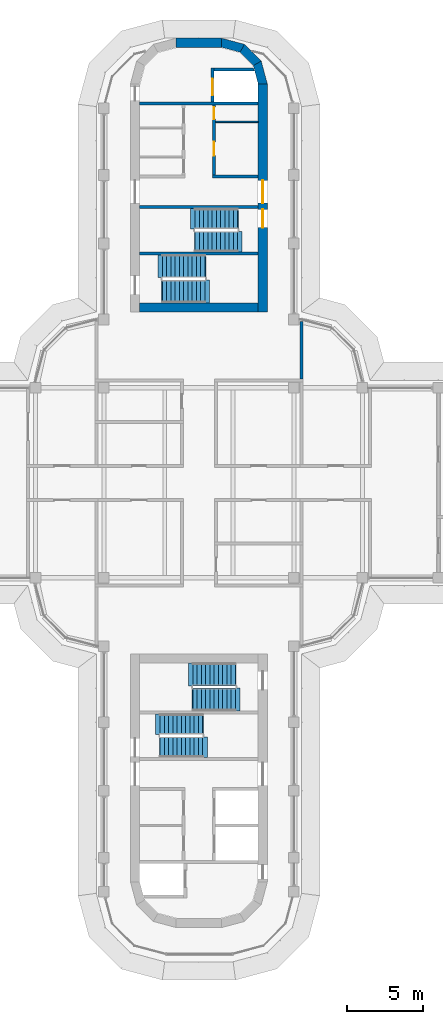
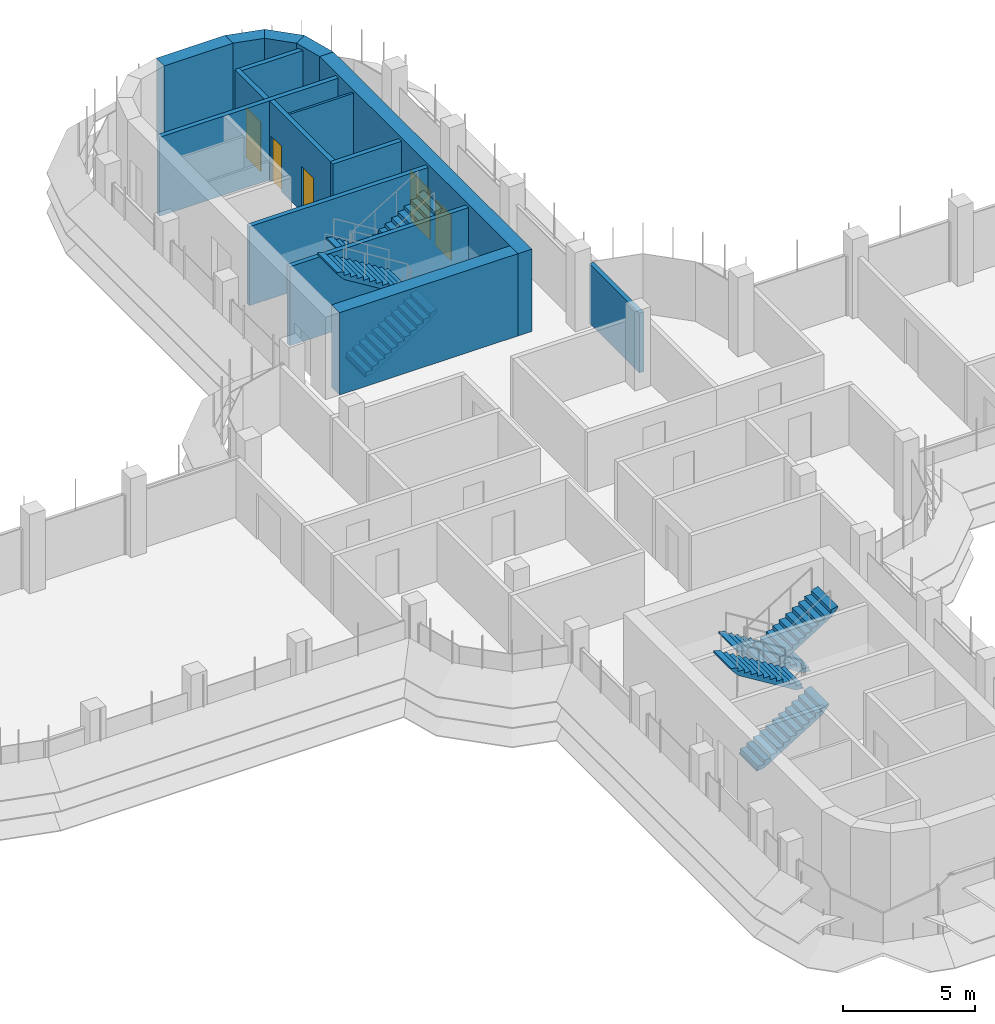
# One storey, part 15 of 19: 15 walls, 8 stair flights, 5 doors, 5 openings, 4 elements without a shape of their own.
"""IFC4 building model written with IfcOpenShell, lengths in metres."""

import ifcopenshell
import ifcopenshell.guid

model = None  # the IFC model being written
_history = None  # IfcOwnerHistory: only IFC2X3 demands one
_inside = {}  # id of a spatial element -> (the spatial element, [elements in it])
_under = {}  # id of a project, library or spatial element -> (it, [spatial elements below it])
_declared = {}  # id of a project -> (the project, [libraries it declares])
_typed = {}  # id of a type object -> (the type object, [elements of that type])
_made_of = {}  # id of a material, layer set ... -> (it, [elements and type objects made of it])


def new_model(schema):
    """Start an empty IFC model of exactly this schema.

    Asked for "IFC4X3", IfcOpenShell would pick the latest addendum, in which some entities
    have other attributes; the version numbers below select the first issue.
    IFC2X3 requires an IfcOwnerHistory on every rooted entity: one is made here for all.
    """
    global model, _history
    if schema == "IFC4X3":
        model = ifcopenshell.file(schema_version=(4, 3, 0, 0))
    else:
        model = ifcopenshell.file(schema=schema)
    _inside.clear()
    _under.clear()
    _declared.clear()
    _typed.clear()
    _made_of.clear()
    _history = None
    if model.schema == "IFC2X3":
        org = make("IfcOrganization", Name="unknown")
        user = make(
            "IfcPersonAndOrganization",
            ThePerson=make("IfcPerson", FamilyName="unknown"),
            TheOrganization=org,
        )
        app = make(
            "IfcApplication",
            ApplicationDeveloper=org,
            Version="unknown",
            ApplicationFullName="unknown",
            ApplicationIdentifier="unknown",
        )
        _history = make(
            "IfcOwnerHistory",
            OwningUser=user,
            OwningApplication=app,
            ChangeAction="ADDED",
            CreationDate=0,
        )
    return model


def make(cls, **values):
    """One entity of the class cls with the attributes given. An attribute that is None is left unset."""
    return model.create_entity(
        cls, **{name: value for name, value in values.items() if value is not None}
    )


def rooted(cls, **values):
    """An entity with a GlobalId (a new one), such as an element, a storey or a relation."""
    return make(cls, GlobalId=ifcopenshell.guid.new(), OwnerHistory=_history, **values)


def si_unit(unit_type, name, prefix=None):
    """IfcSIUnit, for example si_unit("LENGTHUNIT", "METRE", prefix="MILLI")."""
    return make("IfcSIUnit", UnitType=unit_type, Prefix=prefix, Name=name)


def assignment(units):
    """IfcUnitAssignment: the units of a project."""
    return None if units is None else make("IfcUnitAssignment", Units=units)


def point(xyz):
    """IfcCartesianPoint."""
    return None if xyz is None else make("IfcCartesianPoint", Coordinates=xyz)


def direction(xyz):
    """IfcDirection."""
    return None if xyz is None else make("IfcDirection", DirectionRatios=xyz)


def frame(location, z_axis=None, x_axis=None):
    """IfcAxis2Placement3D, a coordinate frame: its origin and axes. An axis left out is left unset."""
    return make(
        "IfcAxis2Placement3D",
        Location=point(location),
        Axis=direction(z_axis),
        RefDirection=direction(x_axis),
    )


def frame_2d(location, x_axis=None):
    """IfcAxis2Placement2D, a coordinate frame in the plane: its origin and x axis."""
    return make(
        "IfcAxis2Placement2D", Location=point(location), RefDirection=direction(x_axis)
    )


def origin():
    """The frame at (0, 0, 0) with its axes left unset."""
    return frame((0.0, 0.0, 0.0))


def place(relative_to, where):
    """IfcLocalPlacement: puts the frame where relative to a parent placement (None: the world)."""
    return make(
        "IfcLocalPlacement", PlacementRelTo=relative_to, RelativePlacement=where
    )


def context(
    kind, dimensions, precision=None, world=None, true_north=None, identifier=None
):
    """IfcGeometricRepresentationContext, for example the 3D "Model" context."""
    return make(
        "IfcGeometricRepresentationContext",
        ContextIdentifier=identifier,
        ContextType=kind,
        CoordinateSpaceDimension=dimensions,
        Precision=precision,
        WorldCoordinateSystem=world,
        TrueNorth=true_north,
    )


def subcontext(parent, identifier, kind, view, scale=None):
    """IfcGeometricRepresentationSubContext, for example "Body" below "Model"."""
    return make(
        "IfcGeometricRepresentationSubContext",
        ContextIdentifier=identifier,
        ContextType=kind,
        ParentContext=parent,
        TargetScale=scale,
        TargetView=view,
    )


def project(units=None, contexts=None):
    """IfcProject with its units and contexts."""
    return rooted(
        "IfcProject",
        Name="project",
        RepresentationContexts=contexts,
        UnitsInContext=assignment(units),
    )


def spatial(cls, under=None, at=None, **own):
    """A site, building, storey or space (cls), placed at a placement, below another one or the project."""
    s = rooted(cls, ObjectPlacement=at, **own)
    if under is not None:
        _under.setdefault(under.id(), (under, []))[1].append(s)
    return s


def polyline(points):
    """IfcPolyline through the points."""
    return make("IfcPolyline", Points=[point(p) for p in points])


def profile(cls, at=None, kind="AREA", **sizes):
    """A parametric profile (cls). Its sizes go by their IFC names, for example OverallWidth=200.0."""
    return make(cls, ProfileType=kind, Position=at, **sizes)


def rectangle(**sizes):
    """IfcRectangleProfileDef."""
    return profile("IfcRectangleProfileDef", **sizes)


def outline(outer, holes=None, kind="AREA"):
    """IfcArbitraryClosedProfileDef: a profile drawn as a closed curve; with holes, ...WithVoids."""
    if holes is None:
        return make("IfcArbitraryClosedProfileDef", ProfileType=kind, OuterCurve=outer)
    return make(
        "IfcArbitraryProfileDefWithVoids",
        ProfileType=kind,
        OuterCurve=outer,
        InnerCurves=holes,
    )


def extrude(swept, where, along, depth):
    """IfcExtrudedAreaSolid: the profile swept, set in the frame where, extruded along a direction by depth."""
    return make(
        "IfcExtrudedAreaSolid",
        SweptArea=swept,
        Position=where,
        ExtrudedDirection=direction(along),
        Depth=depth,
    )


def shape(context_of_items, identifier, shape_type, items):
    """IfcShapeRepresentation: the items that make up one representation, for example the "Body"."""
    return make(
        "IfcShapeRepresentation",
        ContextOfItems=context_of_items,
        RepresentationIdentifier=identifier,
        RepresentationType=shape_type,
        Items=items,
    )


def material(Name=None, Category=None):
    """IfcMaterial."""
    return make("IfcMaterial", Name=Name, Category=Category)


def layer(
    of_material, thickness, ventilated=None, Name=None, Category=None, Priority=None
):
    """IfcMaterialLayer: one layer of a wall or slab, of a material (None: an air gap)."""
    return make(
        "IfcMaterialLayer",
        Material=of_material,
        LayerThickness=thickness,
        IsVentilated=ventilated,
        Name=Name,
        Category=Category,
        Priority=Priority,
    )


def layer_set(layers, Name=None):
    """IfcMaterialLayerSet."""
    return make("IfcMaterialLayerSet", MaterialLayers=layers, LayerSetName=Name)


def made_of(thing, what):
    """Note that an element or type object is made of a material, layer set ...; save() writes the relation."""
    if what is not None:
        _made_of.setdefault(what.id(), (what, []))[1].append(thing)
    return thing


def type_object(cls, material=None, **own):
    """A type object (cls), such as IfcWallType, which elements share."""
    return made_of(rooted(cls, **own), material)


def element(
    cls,
    number,
    at=None,
    inside=None,
    cuts=None,
    type_object=None,
    material=None,
    context=None,
    identifier="Body",
    shape_type=None,
    held_by="IfcProductDefinitionShape",
    body=None,
    shapes=None,
    **own,
):
    """One element of the class cls, such as IfcWall. Its Tag is "e" and its number.

    at: its placement. inside: the storey or other place that contains it. cuts: it is an
    opening in that element (IfcRelVoidsElement). A single representation is given by context,
    identifier, shape_type and body (its items); several are given by shapes. held_by: the class
    of the entity that holds the representations. save() writes the other relations.
    """
    e = rooted(cls, Tag="e%d" % number, ObjectPlacement=at, **own)
    if body is not None:
        shapes = [shape(context, identifier, shape_type, body)]
    if shapes is not None:
        e.Representation = make(held_by, Representations=shapes)
    if inside is not None:
        _inside.setdefault(inside.id(), (inside, []))[1].append(e)
    if cuts is not None:
        rooted(
            "IfcRelVoidsElement", RelatingBuildingElement=cuts, RelatedOpeningElement=e
        )
    if type_object is not None:
        _typed.setdefault(type_object.id(), (type_object, []))[1].append(e)
    return made_of(e, material)


def fill(opening, filler):
    """IfcRelFillsElement: the door or window that sits in an opening."""
    return rooted(
        "IfcRelFillsElement",
        RelatingOpeningElement=opening,
        RelatedBuildingElement=filler,
    )


def aggregate(whole, parts):
    """IfcRelAggregates: a whole, such as a stair, and the parts it consists of."""
    return rooted("IfcRelAggregates", RelatingObject=whole, RelatedObjects=parts)


def save(model, path):
    """Write the relations noted so far, then the file.

    IfcRelAggregates (storeys below a building ...), IfcRelContainedInSpatialStructure (elements
    in a storey), IfcRelDefinesByType, IfcRelAssociatesMaterial and IfcRelDeclares: one each for
    every whole, place, type object, material and project.
    """
    for whole, parts in _under.values():
        aggregate(whole, parts)
    for where, things in _inside.values():
        rooted(
            "IfcRelContainedInSpatialStructure",
            RelatedElements=things,
            RelatingStructure=where,
        )
    for kind, things in _typed.values():
        rooted("IfcRelDefinesByType", RelatedObjects=things, RelatingType=kind)
    for what, things in _made_of.values():
        rooted("IfcRelAssociatesMaterial", RelatedObjects=things, RelatingMaterial=what)
    for by, libraries in _declared.values():
        rooted("IfcRelDeclares", RelatingContext=by, RelatedDefinitions=libraries)
    model.write(path)


model = new_model("IFC4")

# Units and contexts
model_context = context("Model", 3, precision=1e-05, world=origin(), true_north=direction((0.0, 1.0)))
body_context = subcontext(model_context, "Body", "Model", "MODEL_VIEW")
ifc_project = project(units=[si_unit("LENGTHUNIT", "METRE"), si_unit("AREAUNIT", "SQUARE_METRE"), si_unit("VOLUMEUNIT", "CUBIC_METRE"), si_unit("PLANEANGLEUNIT", "RADIAN"), si_unit("MASSUNIT", "GRAM", prefix="KILO")], contexts=[model_context])

# Site, building, storey
site_placement = place(None, origin())
site = spatial("IfcSite", under=ifc_project, at=site_placement, CompositionType="ELEMENT")
building_placement = place(site_placement, origin())
building = spatial("IfcBuilding", under=site, at=building_placement, Name="Zarbagh Exchange Tower", CompositionType="ELEMENT")
storey_placement = place(building_placement, frame((0.0, 0.0, 229.60009765625)))
storey = spatial("IfcBuildingStorey", under=building, at=storey_placement, Name="L56", CompositionType="ELEMENT", Elevation=229.60009765625)

# Walls
ifc_material_1 = material(Name="Dense blockwork", Category="masonry")
ifc_layer_1 = layer(ifc_material_1, 0.10009765625)
ifc_layer_set_1 = layer_set([ifc_layer_1], Name="Core partition 100 mm blockwork")
wall_type_1 = type_object("IfcWallType", Name="Core partition 100 mm blockwork", PredefinedType="PARTITIONING", material=ifc_layer_set_1)
wall_1_placement = place(storey_placement, frame((1.10009765625, 23.75, 0.0), z_axis=(0.0, 0.0, 1.0), x_axis=(1.0, 0.0, 0.0)))
element("IfcWall", 1, at=wall_1_placement, inside=storey, type_object=wall_type_1, Name="North core partition wall CUT-E-460", PredefinedType="PARTITIONING", context=body_context, shape_type="SweptSolid", body=[
    extrude(rectangle(XDim=2.7998046875, YDim=0.10009765625, at=frame_2d((1.39990234375, 0.0))), origin(), (0.0, 0.0, 1.0), 3.64990234375),
])
ifc_material_2 = material(Name="Fire-rated plasterboard partition")
ifc_layer_2 = layer(ifc_material_2, 0.199951171875)
ifc_layer_set_2 = layer_set([ifc_layer_2], Name="RATED PARTITION 200")
wall_type_2 = type_object("IfcWallType", Name="RATED PARTITION 200", PredefinedType="PARTITIONING", material=ifc_layer_set_2)
wall_2_placement = place(storey_placement, frame((6.75, 6.85009765625, 0.0), z_axis=(0.0, 0.0, 1.0), x_axis=(0.0, 1.0, 0.0)))
element("IfcWall", 2, at=wall_2_placement, inside=storey, type_object=wall_type_2, Name="Partition W-2417", PredefinedType="PARTITIONING", context=body_context, shape_type="SweptSolid", body=[
    extrude(rectangle(XDim=3.77978515625, YDim=0.199951171875, at=frame_2d((1.889892578125, 0.0))), origin(), (0.0, 0.0, 1.0), 2.75),
])
ifc_material_3 = material(Name="Concrete C50/60", Category="concrete")
ifc_layer_3 = layer(ifc_material_3, 0.60009765625)
ifc_layer_set_3 = layer_set([ifc_layer_3], Name="RC core corner wall 600 C50/60")
wall_type_3 = type_object("IfcWallType", Name="RC core corner wall 600 C50/60", PredefinedType="SHEAR", material=ifc_layer_set_3)
wall_3_placement = place(storey_placement, origin())
element("IfcWall", 3, at=wall_3_placement, inside=storey, type_object=wall_type_3, Name="CW8 core N corner E", PredefinedType="SHEAR", context=body_context, shape_type="SweptSolid", body=[
    extrude(outline(polyline([(4.5, 26.25), (4.09814453125, 27.75), (3.57861328125, 27.449951171875), (3.89990234375, 26.25), (4.5, 26.25)])), origin(), (0.0, 0.0, 1.0), 3.7998046875),
])
wall_4_placement = place(storey_placement, origin())
element("IfcWall", 4, at=wall_4_placement, inside=storey, type_object=wall_type_3, Name="CW8 core N corner E", PredefinedType="SHEAR", context=body_context, shape_type="SweptSolid", body=[
    extrude(outline(polyline([(4.09814453125, 27.75), (3.0, 28.84814453125), (2.699951171875, 28.32861328125), (3.57861328125, 27.449951171875), (4.09814453125, 27.75)])), origin(), (0.0, 0.0, 1.0), 3.7998046875),
])
wall_5_placement = place(storey_placement, origin())
element("IfcWall", 5, at=wall_5_placement, inside=storey, type_object=wall_type_3, Name="CW8 core N corner E", PredefinedType="SHEAR", context=body_context, shape_type="SweptSolid", body=[
    extrude(outline(polyline([(3.0, 28.84814453125), (1.5, 29.25), (1.5, 28.64990234375), (2.699951171875, 28.32861328125), (3.0, 28.84814453125)])), origin(), (0.0, 0.0, 1.0), 3.7998046875),
])

# Wall, openings, doors
ifc_layer_4 = layer(ifc_material_3, 0.60009765625)
ifc_layer_set_4 = layer_set([ifc_layer_4], Name="RC core wall 600 C50/60")
wall_type_4 = type_object("IfcWallType", Name="RC core wall 600 C50/60", PredefinedType="SHEAR", material=ifc_layer_set_4)
wall_6_placement = place(storey_placement, frame((4.199951171875, 11.25, 0.0), z_axis=(0.0, 0.0, 1.0), x_axis=(0.0, 1.0, 0.0)))
wall_6 = element("IfcWall", 6, at=wall_6_placement, inside=storey, type_object=wall_type_4, Name="CW7 core N E", PredefinedType="SHEAR", context=body_context, shape_type="SweptSolid", body=[
    extrude(rectangle(XDim=15.0, YDim=0.60009765625, at=frame_2d((7.5, 0.0))), origin(), (0.0, 0.0, 1.0), 3.7998046875),
])
opening_1_placement = place(wall_6_placement, frame((7.14990234375, 0.0, 0.0)))
opening_1 = element("IfcOpeningElement", 7, at=opening_1_placement, cuts=wall_6, Name="Opening CD1-1500", PredefinedType="OPENING", context=body_context, shape_type="SweptSolid", body=[
    extrude(rectangle(XDim=1.5, YDim=2.300048828125, at=frame_2d((0.75, 1.14990234375))), frame((0.0, 0.31005859375, 0.0), z_axis=(0.0, -1.0, 0.0), x_axis=(1.0, 0.0, 0.0)), (0.0, 0.0, 1.0), 0.6201171875),
])
opening_2_placement = place(wall_6_placement, frame((5.550048828125, 0.0, 0.0)))
opening_2 = element("IfcOpeningElement", 8, at=opening_2_placement, cuts=wall_6, Name="Opening SD1-1200", PredefinedType="OPENING", context=body_context, shape_type="SweptSolid", body=[
    extrude(rectangle(XDim=1.199951171875, YDim=2.10009765625, at=frame_2d((0.60009765625, 1.050048828125))), frame((0.0, 0.31005859375, 0.0), z_axis=(0.0, -1.0, 0.0), x_axis=(1.0, 0.0, 0.0)), (0.0, 0.0, 1.0), 0.6201171875),
])
ifc_material_4 = material(Name="Steel", Category="steel")
door_type_1 = type_object("IfcDoorType", Name="Exit stair door 1200 x 2100", OperationType="NOTDEFINED", PredefinedType="DOOR", material=ifc_material_4)
door_1_placement = place(opening_2_placement, origin())
door_1 = element("IfcDoor", 9, at=door_1_placement, inside=storey, type_object=door_type_1, Name="North core stair door ST1", OperationType="SINGLE_SWING_RIGHT", OverallHeight=2.10009765625, OverallWidth=1.199951171875, PredefinedType="DOOR", context=body_context, shape_type="SweptSolid", body=[
    extrude(rectangle(XDim=1.199951171875, YDim=2.10009765625, at=frame_2d((0.60009765625, 1.050048828125))), frame((0.0, 0.02490234375, 0.0), z_axis=(0.0, -1.0, 0.0), x_axis=(1.0, 0.0, 0.0)), (0.0, 0.0, 1.0), 0.050048828125),
])
fill(opening_2, door_1)
door_type_2 = type_object("IfcDoorType", Name="Lift lobby double door 1500 x 2300", OperationType="NOTDEFINED", PredefinedType="DOOR", material=ifc_material_4)
door_2_placement = place(opening_1_placement, origin())
door_2 = element("IfcDoor", 10, at=door_2_placement, inside=storey, type_object=door_type_2, Name="North core lift lobby door LOBBY-E", OperationType="DOUBLE_DOOR_SINGLE_SWING", OverallHeight=2.300048828125, OverallWidth=1.5, PredefinedType="DOOR", context=body_context, shape_type="SweptSolid", body=[
    extrude(rectangle(XDim=1.5, YDim=2.300048828125, at=frame_2d((0.75, 1.14990234375))), frame((0.0, 0.02490234375, 0.0), z_axis=(0.0, -1.0, 0.0), x_axis=(1.0, 0.0, 0.0)), (0.0, 0.0, 1.0), 0.050048828125),
])
fill(opening_1, door_2)

# Walls
wall_7_placement = place(storey_placement, frame((-3.89990234375, 11.550048828125, 0.0), z_axis=(0.0, 0.0, 1.0), x_axis=(1.0, 0.0, 0.0)))
element("IfcWall", 11, at=wall_7_placement, inside=storey, type_object=wall_type_4, Name="CW7 core N inner end", PredefinedType="SHEAR", context=body_context, shape_type="SweptSolid", body=[
    extrude(rectangle(XDim=7.7998046875, YDim=0.60009765625, at=frame_2d((3.89990234375, 0.0))), origin(), (0.0, 0.0, 1.0), 3.7998046875),
])
wall_8_placement = place(storey_placement, frame((-1.5, 28.949951171875, 0.0), z_axis=(0.0, 0.0, 1.0), x_axis=(1.0, 0.0, 0.0)))
element("IfcWall", 12, at=wall_8_placement, inside=storey, type_object=wall_type_4, Name="CW7 core N outer end", PredefinedType="SHEAR", context=body_context, shape_type="SweptSolid", body=[
    extrude(rectangle(XDim=3.0, YDim=0.60009765625, at=frame_2d((1.5, 0.0))), origin(), (0.0, 0.0, 1.0), 3.7998046875),
])
ifc_layer_5 = layer(ifc_material_1, 0.199951171875)
ifc_layer_set_5 = layer_set([ifc_layer_5], Name="Shaft wall 200 mm blockwork")
wall_type_5 = type_object("IfcWallType", Name="Shaft wall 200 mm blockwork", PredefinedType="PARTITIONING", material=ifc_layer_set_5)
wall_9_placement = place(storey_placement, frame((0.89990234375, 20.14990234375, 0.0), z_axis=(0.0, 0.0, 1.0), x_axis=(1.0, 0.0, 0.0)))
element("IfcWall", 13, at=wall_9_placement, inside=storey, type_object=wall_type_5, Name="North core shaft wall AB-E", PredefinedType="PARTITIONING", context=body_context, shape_type="SweptSolid", body=[
    extrude(rectangle(XDim=3.0, YDim=0.199951171875, at=frame_2d((1.5, 0.0))), origin(), (0.0, 0.0, 1.0), 3.64990234375),
])

# Wall, openings, doors
wall_10_placement = place(storey_placement, frame((1.0, 24.85009765625, 0.0), z_axis=(0.0, 0.0, 1.0), x_axis=(0.0, -1.0, 0.0)))
wall_10 = element("IfcWall", 14, at=wall_10_placement, inside=storey, type_object=wall_type_5, Name="North core shaft wall LW-E", PredefinedType="PARTITIONING", context=body_context, shape_type="SweptSolid", body=[
    extrude(rectangle(XDim=4.60009765625, YDim=0.199951171875, at=frame_2d((2.300048828125, 0.0))), origin(), (0.0, 0.0, 1.0), 3.64990234375),
])
opening_3_placement = place(wall_10_placement, frame((0.125, 0.0, 0.0)))
opening_3 = element("IfcOpeningElement", 15, at=opening_3_placement, cuts=wall_10, Name="Opening CD3-800", PredefinedType="OPENING", context=body_context, shape_type="SweptSolid", body=[
    extrude(rectangle(XDim=0.800048828125, YDim=2.10009765625, at=frame_2d((0.39990234375, 1.050048828125))), frame((0.0, 0.10986328125, 0.0), z_axis=(0.0, -1.0, 0.0), x_axis=(1.0, 0.0, 0.0)), (0.0, 0.0, 1.0), 0.219970703125),
])
opening_4_placement = place(wall_10_placement, frame((2.425048828125, 0.0, 0.0)))
opening_4 = element("IfcOpeningElement", 16, at=opening_4_placement, cuts=wall_10, Name="Opening CD3-900", PredefinedType="OPENING", context=body_context, shape_type="SweptSolid", body=[
    extrude(rectangle(XDim=0.89990234375, YDim=2.10009765625, at=frame_2d((0.449951171875, 1.050048828125))), frame((0.0, 0.10986328125, 0.0), z_axis=(0.0, -1.0, 0.0), x_axis=(1.0, 0.0, 0.0)), (0.0, 0.0, 1.0), 0.219970703125),
])
door_type_3 = type_object("IfcDoorType", Name="Core room door 800 x 2100", OperationType="NOTDEFINED", PredefinedType="DOOR", material=ifc_material_4)
door_3_placement = place(opening_3_placement, origin())
door_3 = element("IfcDoor", 17, at=door_3_placement, inside=storey, type_object=door_type_3, Name="North core Store door RD-E-0", OperationType="SINGLE_SWING_LEFT", OverallHeight=2.10009765625, OverallWidth=0.800048828125, PredefinedType="DOOR", context=body_context, shape_type="SweptSolid", body=[
    extrude(rectangle(XDim=0.800048828125, YDim=2.10009765625, at=frame_2d((0.39990234375, 1.050048828125))), frame((0.0, 0.02490234375, 0.0), z_axis=(0.0, -1.0, 0.0), x_axis=(1.0, 0.0, 0.0)), (0.0, 0.0, 1.0), 0.050048828125),
])
fill(opening_3, door_3)
door_type_4 = type_object("IfcDoorType", Name="Core room door 900 x 2100", OperationType="NOTDEFINED", PredefinedType="DOOR", material=ifc_material_4)
door_4_placement = place(opening_4_placement, origin())
door_4 = element("IfcDoor", 18, at=door_4_placement, inside=storey, type_object=door_type_4, Name="North core Staff WC door RD-E-1", OperationType="SINGLE_SWING_RIGHT", OverallHeight=2.10009765625, OverallWidth=0.89990234375, PredefinedType="DOOR", context=body_context, shape_type="SweptSolid", body=[
    extrude(rectangle(XDim=0.89990234375, YDim=2.10009765625, at=frame_2d((0.449951171875, 1.050048828125))), frame((0.0, 0.02490234375, 0.0), z_axis=(0.0, -1.0, 0.0), x_axis=(1.0, 0.0, 0.0)), (0.0, 0.0, 1.0), 0.050048828125),
])
fill(opening_4, door_4)

# Wall
ifc_material_5 = material(Name="Concrete C40/50", Category="concrete")
ifc_layer_6 = layer(ifc_material_5, 0.199951171875)
ifc_layer_set_6 = layer_set([ifc_layer_6], Name="Stair enclosure wall 200 mm RC C40/50")
wall_type_6 = type_object("IfcWallType", Name="Stair enclosure wall 200 mm RC C40/50", PredefinedType="SHEAR", material=ifc_layer_set_6)
wall_11_placement = place(storey_placement, frame((-3.89990234375, 24.949951171875, 0.0), z_axis=(0.0, 0.0, 1.0), x_axis=(1.0, 0.0, 0.0)))
element("IfcWall", 19, at=wall_11_placement, inside=storey, type_object=wall_type_6, Name="North core lift shaft wall FFA", PredefinedType="SHEAR", context=body_context, shape_type="SweptSolid", body=[
    extrude(rectangle(XDim=7.7998046875, YDim=0.199951171875, at=frame_2d((3.89990234375, 0.0))), origin(), (0.0, 0.0, 1.0), 3.64990234375),
])

# Wall, opening, door
wall_12_placement = place(storey_placement, frame((0.89990234375, 27.300048828125, 0.0), z_axis=(0.0, 0.0, 1.0), x_axis=(0.0, -1.0, 0.0)))
wall_12 = element("IfcWall", 20, at=wall_12_placement, inside=storey, type_object=wall_type_6, Name="North core lift shaft wall FFL", PredefinedType="SHEAR", context=body_context, shape_type="SweptSolid", body=[
    extrude(rectangle(XDim=2.25, YDim=0.199951171875, at=frame_2d((1.125, 0.0))), origin(), (0.0, 0.0, 1.0), 3.64990234375),
])
opening_5_placement = place(wall_12_placement, frame((0.699951171875, 0.0, 0.0)))
opening_5 = element("IfcOpeningElement", 21, at=opening_5_placement, cuts=wall_12, Name="Opening LD-1100", PredefinedType="OPENING", context=body_context, shape_type="SweptSolid", body=[
    extrude(rectangle(XDim=1.10009765625, YDim=2.300048828125, at=frame_2d((0.550048828125, 1.14990234375))), frame((0.0, 0.10986328125, 0.0), z_axis=(0.0, -1.0, 0.0), x_axis=(1.0, 0.0, 0.0)), (0.0, 0.0, 1.0), 0.219970703125),
])
ifc_material_6 = material(Name="Stainless steel", Category="steel")
door_type_5 = type_object("IfcDoorType", Name="Lift landing door 1100 x 2300", OperationType="NOTDEFINED", PredefinedType="DOOR", material=ifc_material_6)
door_5_placement = place(opening_5_placement, origin())
door_5 = element("IfcDoor", 22, at=door_5_placement, inside=storey, type_object=door_type_5, Name="North core lift landing door LD-F", OperationType="DOUBLE_DOOR_SLIDING", OverallHeight=2.300048828125, OverallWidth=1.10009765625, PredefinedType="DOOR", context=body_context, shape_type="SweptSolid", body=[
    extrude(rectangle(XDim=1.10009765625, YDim=2.300048828125, at=frame_2d((0.550048828125, 1.14990234375))), frame((0.0, 0.02490234375, 0.0), z_axis=(0.0, -1.0, 0.0), x_axis=(1.0, 0.0, 0.0)), (0.0, 0.0, 1.0), 0.050048828125),
])
fill(opening_5, door_5)

# Walls
wall_13_placement = place(storey_placement, origin())
element("IfcWall", 23, at=wall_13_placement, inside=storey, type_object=wall_type_6, Name="North core lift shaft wall FFX", PredefinedType="SHEAR", context=body_context, shape_type="SweptSolid", body=[
    extrude(outline(polyline([(1.0, 27.10009765625), (3.651123046875, 27.10009765625), (3.597412109375, 27.300048828125), (1.0, 27.300048828125), (1.0, 27.10009765625)])), origin(), (0.0, 0.0, 1.0), 3.64990234375),
])
for number, where, z_axis, x_axis, name in (
    (24, (-3.89990234375, 18.14990234375, 0.0), (0.0, 0.0, 1.0), (1.0, 0.0, 0.0), "North core stair wall BS"),
    (25, (-3.89990234375, 15.10009765625, 0.0), (0.0, 0.0, 1.0), (1.0, 0.0, 0.0), "North core stair wall ST12"),
):
    element("IfcWall", number, at=place(storey_placement, frame(where, z_axis=z_axis, x_axis=x_axis)), inside=storey, type_object=wall_type_6, Name=name, PredefinedType="SHEAR", context=body_context, shape_type="SweptSolid", body=[
        extrude(rectangle(XDim=7.7998046875, YDim=0.199951171875, at=frame_2d((3.89990234375, 0.0))), origin(), (0.0, 0.0, 1.0), 3.64990234375),
    ])

# Stair, stair flights
stair_type = type_object("IfcStairType", Name="Exit stair two-flight half-turn", PredefinedType="HALF_TURN_STAIR", material=ifc_material_5)
stair_1_placement = place(storey_placement, origin())
stair_1 = element("IfcStair", 26, at=stair_1_placement, inside=storey, type_object=stair_type, Name="exit stair ST1", PredefinedType="HALF_TURN_STAIR")
stair_flight_type_1 = type_object("IfcStairFlightType", Name="Stair flight 1350 mm", PredefinedType="STRAIGHT", material=ifc_material_5)
stair_flight_1_placement = place(storey_placement, frame((2.550048828125, 17.375, 0.0), z_axis=(0.0, 0.0, 1.0), x_axis=(-1.0, 0.0, 0.0)))
stair_flight_1 = element("IfcStairFlight", 27, at=stair_flight_1_placement, type_object=stair_flight_type_1, Name="ST1 flight 1", NumberOfRisers=11, NumberOfTreads=10, PredefinedType="STRAIGHT", RiserHeight=0.172727273, TreadLength=0.28, context=body_context, shape_type="SweptSolid", body=[
    extrude(outline(polyline([(-0.050048828125, -0.050048828125), (-0.050048828125, 0.0), (0.0, 0.0), (0.0, 0.172607421875), (0.280029296875, 0.172607421875), (0.280029296875, 0.345458984375), (0.56005859375, 0.345458984375), (0.56005859375, 0.51806640625), (0.840087890625, 0.51806640625), (0.840087890625, 0.69091796875), (1.1201171875, 0.69091796875), (1.1201171875, 0.863525390625), (1.39990234375, 0.863525390625), (1.39990234375, 1.036376953125), (1.679931640625, 1.036376953125), (1.679931640625, 1.208984375), (1.9599609375, 1.208984375), (1.9599609375, 1.3818359375), (2.239990234375, 1.3818359375), (2.239990234375, 1.554443359375), (2.52001953125, 1.554443359375), (2.52001953125, 1.727294921875), (2.800048828125, 1.727294921875), (2.800048828125, 1.89990234375), (3.10009765625, 1.97998046875), (3.10009765625, 1.89990234375), (2.800048828125, 1.551025390625), (0.285400390625, 0.0), (-0.050048828125, -0.050048828125)])), frame((0.0, 0.675048828125, 0.0), z_axis=(0.0, -1.0, 0.0), x_axis=(1.0, 0.0, 0.0)), (0.0, 0.0, 1.0), 1.35009765625),
])
stair_flight_2_placement = place(storey_placement, frame((-0.25, 15.875, 1.89990234375), z_axis=(0.0, 0.0, 1.0), x_axis=(1.0, 0.0, 0.0)))
stair_flight_2 = element("IfcStairFlight", 28, at=stair_flight_2_placement, type_object=stair_flight_type_1, Name="ST1 flight 2", NumberOfRisers=11, NumberOfTreads=10, PredefinedType="STRAIGHT", RiserHeight=0.172727273, TreadLength=0.28, context=body_context, shape_type="SweptSolid", body=[
    extrude(outline(polyline([(-0.050048828125, -0.050048828125), (-0.050048828125, 0.0), (0.0, 0.0), (0.0, 0.172607421875), (0.280029296875, 0.172607421875), (0.280029296875, 0.345458984375), (0.56005859375, 0.345458984375), (0.56005859375, 0.51806640625), (0.840087890625, 0.51806640625), (0.840087890625, 0.69091796875), (1.1201171875, 0.69091796875), (1.1201171875, 0.863525390625), (1.39990234375, 0.863525390625), (1.39990234375, 1.036376953125), (1.679931640625, 1.036376953125), (1.679931640625, 1.208984375), (1.9599609375, 1.208984375), (1.9599609375, 1.3818359375), (2.239990234375, 1.3818359375), (2.239990234375, 1.554443359375), (2.52001953125, 1.554443359375), (2.52001953125, 1.727294921875), (2.800048828125, 1.727294921875), (2.800048828125, 1.89990234375), (3.10009765625, 1.97998046875), (3.10009765625, 1.89990234375), (2.800048828125, 1.551025390625), (0.285400390625, 0.0), (-0.050048828125, -0.050048828125)])), frame((0.0, 0.675048828125, 0.0), z_axis=(0.0, -1.0, 0.0), x_axis=(1.0, 0.0, 0.0)), (0.0, 0.0, 1.0), 1.35009765625),
])
aggregate(stair_1, [stair_flight_1, stair_flight_2])

stair_2_placement = place(storey_placement, origin())
stair_2 = element("IfcStair", 29, at=stair_2_placement, inside=storey, type_object=stair_type, Name="exit stair ST3", PredefinedType="HALF_TURN_STAIR")
stair_flight_3_placement = place(storey_placement, frame((-2.550048828125, -17.375, 0.0), z_axis=(0.0, 0.0, 1.0), x_axis=(1.0, 0.0, 0.0)))
stair_flight_3 = element("IfcStairFlight", 30, at=stair_flight_3_placement, type_object=stair_flight_type_1, Name="ST3 flight 1", NumberOfRisers=11, NumberOfTreads=10, PredefinedType="STRAIGHT", RiserHeight=0.172727273, TreadLength=0.28, context=body_context, shape_type="SweptSolid", body=[
    extrude(outline(polyline([(-0.050048828125, -0.050048828125), (-0.050048828125, 0.0), (0.0, 0.0), (0.0, 0.172607421875), (0.280029296875, 0.172607421875), (0.280029296875, 0.345458984375), (0.56005859375, 0.345458984375), (0.56005859375, 0.51806640625), (0.840087890625, 0.51806640625), (0.840087890625, 0.69091796875), (1.1201171875, 0.69091796875), (1.1201171875, 0.863525390625), (1.39990234375, 0.863525390625), (1.39990234375, 1.036376953125), (1.679931640625, 1.036376953125), (1.679931640625, 1.208984375), (1.9599609375, 1.208984375), (1.9599609375, 1.3818359375), (2.239990234375, 1.3818359375), (2.239990234375, 1.554443359375), (2.52001953125, 1.554443359375), (2.52001953125, 1.727294921875), (2.800048828125, 1.727294921875), (2.800048828125, 1.89990234375), (3.10009765625, 1.97998046875), (3.10009765625, 1.89990234375), (2.800048828125, 1.551025390625), (0.285400390625, 0.0), (-0.050048828125, -0.050048828125)])), frame((0.0, 0.675048828125, 0.0), z_axis=(0.0, -1.0, 0.0), x_axis=(1.0, 0.0, 0.0)), (0.0, 0.0, 1.0), 1.35009765625),
])
stair_flight_4_placement = place(storey_placement, frame((0.25, -15.875, 1.89990234375), z_axis=(0.0, 0.0, 1.0), x_axis=(-1.0, 0.0, 0.0)))
stair_flight_4 = element("IfcStairFlight", 31, at=stair_flight_4_placement, type_object=stair_flight_type_1, Name="ST3 flight 2", NumberOfRisers=11, NumberOfTreads=10, PredefinedType="STRAIGHT", RiserHeight=0.172727273, TreadLength=0.28, context=body_context, shape_type="SweptSolid", body=[
    extrude(outline(polyline([(-0.050048828125, -0.050048828125), (-0.050048828125, 0.0), (0.0, 0.0), (0.0, 0.172607421875), (0.280029296875, 0.172607421875), (0.280029296875, 0.345458984375), (0.56005859375, 0.345458984375), (0.56005859375, 0.51806640625), (0.840087890625, 0.51806640625), (0.840087890625, 0.69091796875), (1.1201171875, 0.69091796875), (1.1201171875, 0.863525390625), (1.39990234375, 0.863525390625), (1.39990234375, 1.036376953125), (1.679931640625, 1.036376953125), (1.679931640625, 1.208984375), (1.9599609375, 1.208984375), (1.9599609375, 1.3818359375), (2.239990234375, 1.3818359375), (2.239990234375, 1.554443359375), (2.52001953125, 1.554443359375), (2.52001953125, 1.727294921875), (2.800048828125, 1.727294921875), (2.800048828125, 1.89990234375), (3.10009765625, 1.97998046875), (3.10009765625, 1.89990234375), (2.800048828125, 1.551025390625), (0.285400390625, 0.0), (-0.050048828125, -0.050048828125)])), frame((0.0, 0.675048828125, 0.0), z_axis=(0.0, -1.0, 0.0), x_axis=(1.0, 0.0, 0.0)), (0.0, 0.0, 1.0), 1.35009765625),
])
aggregate(stair_2, [stair_flight_3, stair_flight_4])

stair_3_placement = place(storey_placement, origin())
stair_3 = element("IfcStair", 32, at=stair_3_placement, inside=storey, type_object=stair_type, Name="exit stair ST2", PredefinedType="HALF_TURN_STAIR")
stair_flight_type_2 = type_object("IfcStairFlightType", Name="Stair flight 1500 mm", PredefinedType="STRAIGHT", material=ifc_material_5)
stair_flight_5_placement = place(storey_placement, frame((-2.39990234375, 12.60009765625, 0.0), z_axis=(0.0, 0.0, 1.0), x_axis=(1.0, 0.0, 0.0)))
stair_flight_5 = element("IfcStairFlight", 33, at=stair_flight_5_placement, type_object=stair_flight_type_2, Name="ST2 flight 1", NumberOfRisers=11, NumberOfTreads=10, PredefinedType="STRAIGHT", RiserHeight=0.172727273, TreadLength=0.28, context=body_context, shape_type="SweptSolid", body=[
    extrude(outline(polyline([(-0.050048828125, -0.050048828125), (-0.050048828125, 0.0), (0.0, 0.0), (0.0, 0.172607421875), (0.280029296875, 0.172607421875), (0.280029296875, 0.345458984375), (0.56005859375, 0.345458984375), (0.56005859375, 0.51806640625), (0.840087890625, 0.51806640625), (0.840087890625, 0.69091796875), (1.1201171875, 0.69091796875), (1.1201171875, 0.863525390625), (1.39990234375, 0.863525390625), (1.39990234375, 1.036376953125), (1.679931640625, 1.036376953125), (1.679931640625, 1.208984375), (1.9599609375, 1.208984375), (1.9599609375, 1.3818359375), (2.239990234375, 1.3818359375), (2.239990234375, 1.554443359375), (2.52001953125, 1.554443359375), (2.52001953125, 1.727294921875), (2.800048828125, 1.727294921875), (2.800048828125, 1.89990234375), (3.10009765625, 1.97998046875), (3.10009765625, 1.89990234375), (2.800048828125, 1.551025390625), (0.285400390625, 0.0), (-0.050048828125, -0.050048828125)])), frame((0.0, 0.75, 0.0), z_axis=(0.0, -1.0, 0.0), x_axis=(1.0, 0.0, 0.0)), (0.0, 0.0, 1.0), 1.5),
])
stair_flight_6_placement = place(storey_placement, frame((0.39990234375, 14.25, 1.89990234375), z_axis=(0.0, 0.0, 1.0), x_axis=(-1.0, 0.0, 0.0)))
stair_flight_6 = element("IfcStairFlight", 34, at=stair_flight_6_placement, type_object=stair_flight_type_2, Name="ST2 flight 2", NumberOfRisers=11, NumberOfTreads=10, PredefinedType="STRAIGHT", RiserHeight=0.172727273, TreadLength=0.28, context=body_context, shape_type="SweptSolid", body=[
    extrude(outline(polyline([(-0.050048828125, -0.050048828125), (-0.050048828125, 0.0), (0.0, 0.0), (0.0, 0.172607421875), (0.280029296875, 0.172607421875), (0.280029296875, 0.345458984375), (0.56005859375, 0.345458984375), (0.56005859375, 0.51806640625), (0.840087890625, 0.51806640625), (0.840087890625, 0.69091796875), (1.1201171875, 0.69091796875), (1.1201171875, 0.863525390625), (1.39990234375, 0.863525390625), (1.39990234375, 1.036376953125), (1.679931640625, 1.036376953125), (1.679931640625, 1.208984375), (1.9599609375, 1.208984375), (1.9599609375, 1.3818359375), (2.239990234375, 1.3818359375), (2.239990234375, 1.554443359375), (2.52001953125, 1.554443359375), (2.52001953125, 1.727294921875), (2.800048828125, 1.727294921875), (2.800048828125, 1.89990234375), (3.10009765625, 1.97998046875), (3.10009765625, 1.89990234375), (2.800048828125, 1.551025390625), (0.285400390625, 0.0), (-0.050048828125, -0.050048828125)])), frame((0.0, 0.75, 0.0), z_axis=(0.0, -1.0, 0.0), x_axis=(1.0, 0.0, 0.0)), (0.0, 0.0, 1.0), 1.5),
])
aggregate(stair_3, [stair_flight_5, stair_flight_6])

stair_4_placement = place(storey_placement, origin())
stair_4 = element("IfcStair", 35, at=stair_4_placement, inside=storey, type_object=stair_type, Name="exit stair ST4", PredefinedType="HALF_TURN_STAIR")
stair_flight_7_placement = place(storey_placement, frame((2.39990234375, -12.60009765625, 0.0), z_axis=(0.0, 0.0, 1.0), x_axis=(-1.0, 0.0, 0.0)))
stair_flight_7 = element("IfcStairFlight", 36, at=stair_flight_7_placement, type_object=stair_flight_type_2, Name="ST4 flight 1", NumberOfRisers=11, NumberOfTreads=10, PredefinedType="STRAIGHT", RiserHeight=0.172727273, TreadLength=0.28, context=body_context, shape_type="SweptSolid", body=[
    extrude(outline(polyline([(-0.050048828125, -0.050048828125), (-0.050048828125, 0.0), (0.0, 0.0), (0.0, 0.172607421875), (0.280029296875, 0.172607421875), (0.280029296875, 0.345458984375), (0.56005859375, 0.345458984375), (0.56005859375, 0.51806640625), (0.840087890625, 0.51806640625), (0.840087890625, 0.69091796875), (1.1201171875, 0.69091796875), (1.1201171875, 0.863525390625), (1.39990234375, 0.863525390625), (1.39990234375, 1.036376953125), (1.679931640625, 1.036376953125), (1.679931640625, 1.208984375), (1.9599609375, 1.208984375), (1.9599609375, 1.3818359375), (2.239990234375, 1.3818359375), (2.239990234375, 1.554443359375), (2.52001953125, 1.554443359375), (2.52001953125, 1.727294921875), (2.800048828125, 1.727294921875), (2.800048828125, 1.89990234375), (3.10009765625, 1.97998046875), (3.10009765625, 1.89990234375), (2.800048828125, 1.551025390625), (0.285400390625, 0.0), (-0.050048828125, -0.050048828125)])), frame((0.0, 0.75, 0.0), z_axis=(0.0, -1.0, 0.0), x_axis=(1.0, 0.0, 0.0)), (0.0, 0.0, 1.0), 1.5),
])
stair_flight_8_placement = place(storey_placement, frame((-0.39990234375, -14.25, 1.89990234375), z_axis=(0.0, 0.0, 1.0), x_axis=(1.0, 0.0, 0.0)))
stair_flight_8 = element("IfcStairFlight", 37, at=stair_flight_8_placement, type_object=stair_flight_type_2, Name="ST4 flight 2", NumberOfRisers=11, NumberOfTreads=10, PredefinedType="STRAIGHT", RiserHeight=0.172727273, TreadLength=0.28, context=body_context, shape_type="SweptSolid", body=[
    extrude(outline(polyline([(-0.050048828125, -0.050048828125), (-0.050048828125, 0.0), (0.0, 0.0), (0.0, 0.172607421875), (0.280029296875, 0.172607421875), (0.280029296875, 0.345458984375), (0.56005859375, 0.345458984375), (0.56005859375, 0.51806640625), (0.840087890625, 0.51806640625), (0.840087890625, 0.69091796875), (1.1201171875, 0.69091796875), (1.1201171875, 0.863525390625), (1.39990234375, 0.863525390625), (1.39990234375, 1.036376953125), (1.679931640625, 1.036376953125), (1.679931640625, 1.208984375), (1.9599609375, 1.208984375), (1.9599609375, 1.3818359375), (2.239990234375, 1.3818359375), (2.239990234375, 1.554443359375), (2.52001953125, 1.554443359375), (2.52001953125, 1.727294921875), (2.800048828125, 1.727294921875), (2.800048828125, 1.89990234375), (3.10009765625, 1.97998046875), (3.10009765625, 1.89990234375), (2.800048828125, 1.551025390625), (0.285400390625, 0.0), (-0.050048828125, -0.050048828125)])), frame((0.0, 0.75, 0.0), z_axis=(0.0, -1.0, 0.0), x_axis=(1.0, 0.0, 0.0)), (0.0, 0.0, 1.0), 1.5),
])
aggregate(stair_4, [stair_flight_7, stair_flight_8])

save(model, "model.ifc")
